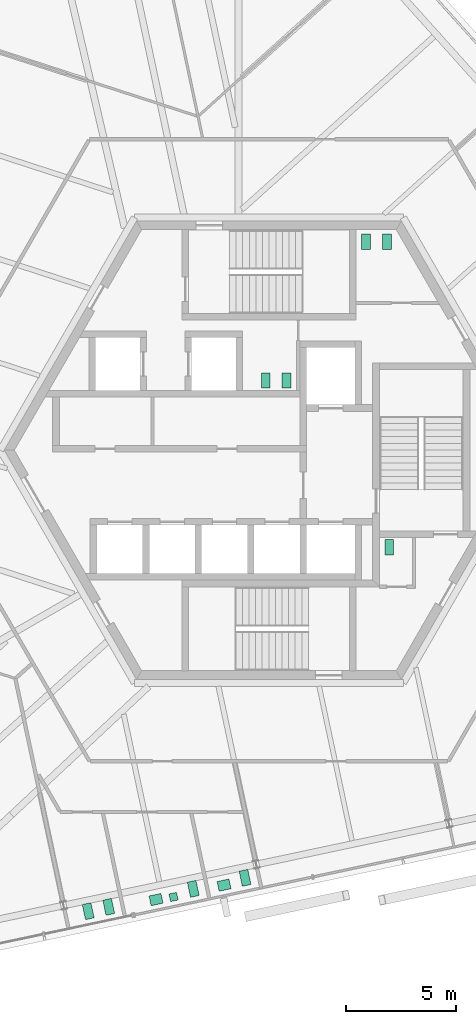
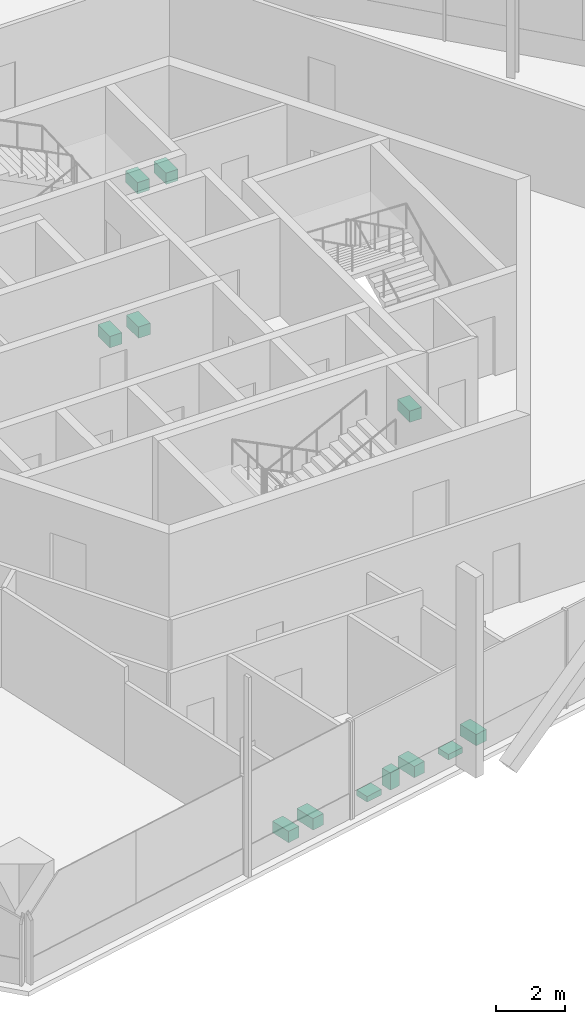
# One storey, part 17 of 17: 12 sanitary terminals.
"""IFC4 building model written with IfcOpenShell, lengths in metres."""

from ifc_helpers import new_model, si_unit, direction, frame, origin, origin_2d, place, context, subcontext, project, spatial, rectangle, extrude, source, transform, mapped, material, element, save


model = new_model("IFC4")

# Units and contexts
model_context = context("Model", 3, precision=1e-05, world=origin(), true_north=direction((0.0, 1.0)))
body_context = subcontext(model_context, "Body", "Model", "MODEL_VIEW")
ifc_project = project(units=[si_unit("LENGTHUNIT", "METRE"), si_unit("AREAUNIT", "SQUARE_METRE"), si_unit("VOLUMEUNIT", "CUBIC_METRE"), si_unit("PLANEANGLEUNIT", "RADIAN"), si_unit("MASSUNIT", "GRAM", prefix="KILO")], contexts=[model_context])

# Site, building, storey
site_placement = place(None, origin())
site = spatial("IfcSite", under=ifc_project, at=site_placement, CompositionType="ELEMENT")
building_placement = place(site_placement, origin())
building = spatial("IfcBuilding", under=site, at=building_placement, Name="Triune Harvest Tower", CompositionType="ELEMENT")
storey_placement = place(building_placement, frame((0.0, 0.0, 273.89990234375)))
storey = spatial("IfcBuildingStorey", under=building, at=storey_placement, Name="L72", CompositionType="ELEMENT", Elevation=273.89990234375)

# Sanitary terminals
ifc_material = material(Name="Vitreous china")
shared_shape_1 = source(origin(), body_context, "Body", "SweptSolid", [
    extrude(rectangle(XDim=0.39990234375, YDim=0.699951171875, at=origin_2d()), origin(), (0.0, 0.0, 1.0), 0.39990234375),
])
for number, where, z_axis, x_axis, name in (
    (1, (4.39990234375, 9.449951171875, 0.000244140625), (0.0, 0.0, 1.0), (1.0, 0.0, 0.0), "Toilet pan L72.c01"),
    (2, (5.35009765625, 9.449951171875, 0.000244140625), (0.0, 0.0, 1.0), (1.0, 0.0, 0.0), "Toilet pan L72.c02"),
    (3, (0.800048828125, 3.159912109375, 0.000244140625), (0.0, 0.0, 1.0), (-1.0, 0.0, 0.0), "Toilet pan L72.c03"),
    (4, (-0.14990234375, 3.159912109375, 0.000244140625), (0.0, 0.0, 1.0), (-1.0, 0.0, 0.0), "Toilet pan L72.c04"),
    (5, (5.449951171875, -4.39990234375, 0.000244140625), (0.0, 0.0, 1.0), (1.0, 0.0, 0.0), "Toilet pan L72.c05"),
    (6, (-7.262451171875, -20.69189453125, 0.000244140625), (0.0, 0.0, 1.0), (-0.978147600734, -0.207911690818, 0.0), "Toilet pan 01"),
    (7, (-8.19189453125, -20.8896484375, 0.000244140625), (0.0, 0.0, 1.0), (-0.978147600734, -0.207911690818, 0.0), "Toilet pan 02"),
    (8, (-3.431396484375, -19.877685546875, 0.000244140625), (0.0, 0.0, 1.0), (-0.978151229328, -0.20789461889, 0.0), "Toilet pan 03"),
    (9, (-1.083740234375, -19.378662109375, 0.000244140625), (0.0, 0.0, 1.0), (-0.978154857625, -0.207877546899, 0.0), "Toilet pan 06"),
):
    element("IfcSanitaryTerminal", number, at=place(storey_placement, frame(where, z_axis=z_axis, x_axis=x_axis)), inside=storey, material=ifc_material, Name=name, PredefinedType="TOILETPAN", context=body_context, shape_type="MappedRepresentation", body=[
        mapped(shared_shape_1, transform((0.0, 0.0, 0.0), scale=1.0)),
    ])
shared_shape_2 = source(origin(), body_context, "Body", "SweptSolid", [
    extrude(rectangle(XDim=0.35009765625, YDim=0.35009765625, at=origin_2d()), origin(), (0.0, 0.0, 1.0), 0.60009765625),
])
sanitary_terminal_placement = place(storey_placement, frame((-4.32421875, -20.246337890625, 0.0), z_axis=(0.0, 0.0, 1.0), x_axis=(-0.978151229328, -0.20789461889, 0.0)))
element("IfcSanitaryTerminal", 10, at=sanitary_terminal_placement, inside=storey, material=ifc_material, Name="Urinal 04", PredefinedType="URINAL", context=body_context, shape_type="MappedRepresentation", body=[
    mapped(shared_shape_2, transform((0.0, 0.0, 0.0), scale=1.0)),
])
shared_shape_3 = source(origin(), body_context, "Body", "SweptSolid", [
    extrude(rectangle(XDim=0.550048828125, YDim=0.449951171875, at=origin_2d()), origin(), (0.0, 0.0, 1.0), 0.199951171875),
])
for number, where, z_axis, x_axis, name in (
    (11, (-5.1171875, -20.36376953125, 0.0), (0.0, 0.0, 1.0), (-0.978151229328, -0.20789461889, 0.0), "Wash basin 05"),
    (12, (-2.035888671875, -19.708740234375, 0.0), (0.0, 0.0, 1.0), (-0.978154857625, -0.207877546899, 0.0), "Wash basin 07"),
):
    element("IfcSanitaryTerminal", number, at=place(storey_placement, frame(where, z_axis=z_axis, x_axis=x_axis)), inside=storey, material=ifc_material, Name=name, PredefinedType="WASHHANDBASIN", context=body_context, shape_type="MappedRepresentation", body=[
        mapped(shared_shape_3, transform((0.0, 0.0, 0.0), scale=1.0)),
    ])

save(model, "model.ifc")
